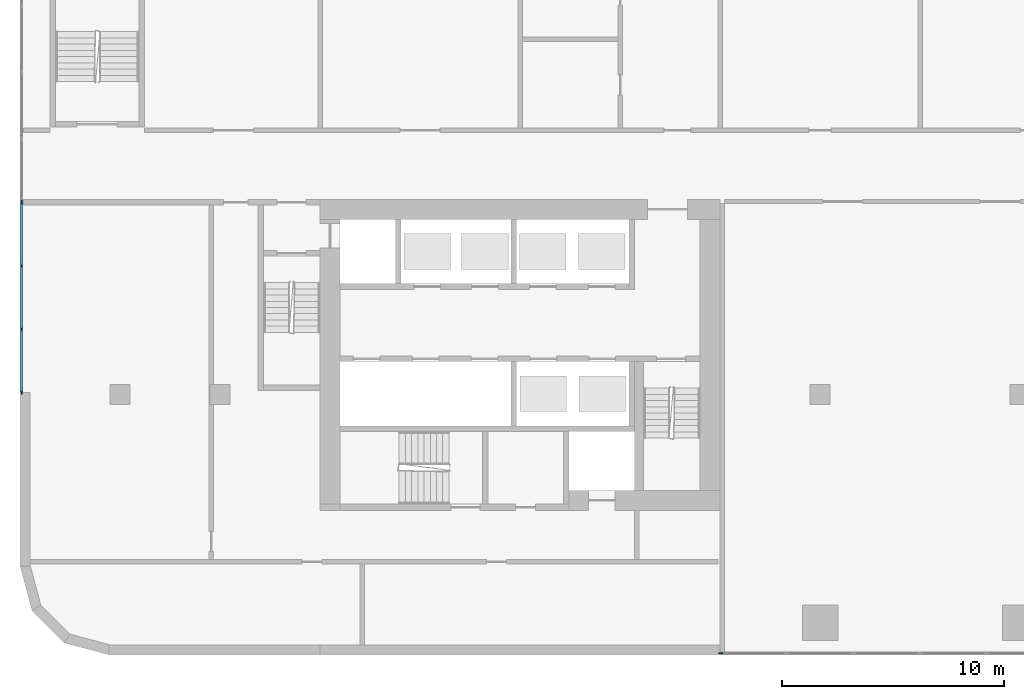
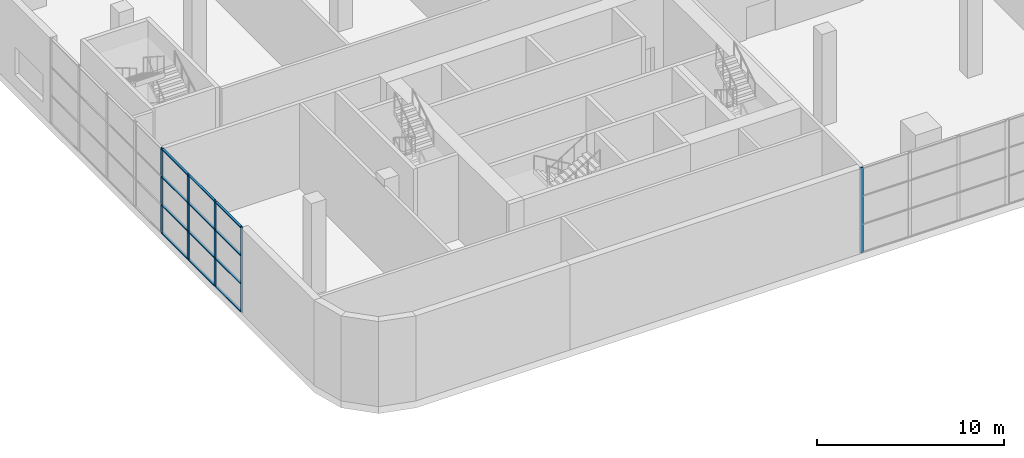
# One storey, part 2 of 27: 17 members, 2 elements without a shape of their own.
"""IFC4 building model written with IfcOpenShell, lengths in metres."""

from ifc_helpers import new_model, si_unit, direction, frame, origin, origin_2d, place, context, subcontext, project, spatial, rectangle, extrude, material, material_profile, profile_set, type_object, element, aggregate, save


model = new_model("IFC4")

# Units and contexts
model_context = context("Model", 3, precision=1e-05, world=origin(), true_north=direction((0.0, 1.0)))
body_context = subcontext(model_context, "Body", "Model", "MODEL_VIEW")
ifc_project = project(units=[si_unit("LENGTHUNIT", "METRE"), si_unit("AREAUNIT", "SQUARE_METRE"), si_unit("VOLUMEUNIT", "CUBIC_METRE"), si_unit("PLANEANGLEUNIT", "RADIAN"), si_unit("MASSUNIT", "GRAM", prefix="KILO")], contexts=[model_context])

# Site, building, storey
site_placement = place(None, origin())
site = spatial("IfcSite", under=ifc_project, at=site_placement, CompositionType="ELEMENT")
building_placement = place(site_placement, origin())
building = spatial("IfcBuilding", under=site, at=building_placement, Name="Kajstack Hotel Tower", CompositionType="ELEMENT")
storey_placement = place(building_placement, frame((0.0, 0.0, 11.0)))
storey = spatial("IfcBuildingStorey", under=building, at=storey_placement, Name="L01", CompositionType="ELEMENT", Elevation=11.0)

# Curtain wall, member
ifc_material_1 = material(Name="Aluminium-framed curtain wall, low-iron glass", Category="aluminium")
curtain_wall_type = type_object("IfcCurtainWallType", Name="CW-LOBBY", PredefinedType="NOTDEFINED", material=ifc_material_1)
curtain_wall_1_placement = place(storey_placement, origin())
curtain_wall_1 = element("IfcCurtainWall", 1, at=curtain_wall_1_placement, inside=storey, type_object=curtain_wall_type, Name="Curtain wall CU1 L01-03-02-0", PredefinedType="NOTDEFINED")
ifc_material_2 = material(Name="Aluminium", Category="aluminium")
ifc_material_profile_1 = material_profile(ifc_material_2, rectangle(XDim=0.06005859375, YDim=0.199951171875, at=origin_2d()), Name="Aluminium mullion 60 x 200")
ifc_profile_set_1 = profile_set([ifc_material_profile_1], Name="Aluminium")
member_type_1 = type_object("IfcMemberType", Name="CW-M-LOBBY", PredefinedType="MULLION", material=ifc_profile_set_1)
member_1_placement = place(storey_placement, frame((-13.469970703125, -21.925048828125, 0.0), z_axis=(0.0, 0.0, 1.0), x_axis=(0.0, 1.0, 0.0)))
member_1 = element("IfcMember", 2, at=member_1_placement, type_object=member_type_1, Name="CU1 mullion 1", PredefinedType="MULLION", context=body_context, shape_type="SweptSolid", body=[
    extrude(rectangle(XDim=0.06005859375, YDim=0.199951171875, at=origin_2d()), origin(), (0.0, 0.0, 1.0), 5.550048828125),
])
aggregate(curtain_wall_1, [member_1])

# Curtain wall, members
curtain_wall_2_placement = place(storey_placement, origin())
curtain_wall_2 = element("IfcCurtainWall", 3, at=curtain_wall_2_placement, inside=storey, type_object=curtain_wall_type, Name="Curtain wall CU1 L01-15-01-1", PredefinedType="NOTDEFINED")
member_2_placement = place(storey_placement, frame((-44.925048828125, -1.64990234375, 0.0), z_axis=(0.0, 0.0, 1.0), x_axis=(1.0, 0.0, 0.0)))
member_2 = element("IfcMember", 4, at=member_2_placement, type_object=member_type_1, Name="CU1 mullion 2", PredefinedType="MULLION", context=body_context, shape_type="SweptSolid", body=[
    extrude(rectangle(XDim=0.06005859375, YDim=0.199951171875, at=origin_2d()), origin(), (0.0, 0.0, 1.0), 5.550048828125),
])
member_3_placement = place(storey_placement, frame((-44.925048828125, -4.5, 0.0), z_axis=(0.0, 0.0, 1.0), x_axis=(1.0, 0.0, 0.0)))
member_3 = element("IfcMember", 5, at=member_3_placement, type_object=member_type_1, Name="CU1 mullion 3", PredefinedType="MULLION", context=body_context, shape_type="SweptSolid", body=[
    extrude(rectangle(XDim=0.06005859375, YDim=0.199951171875, at=origin_2d()), origin(), (0.0, 0.0, 1.0), 5.550048828125),
])
member_4_placement = place(storey_placement, frame((-44.925048828125, -7.35009765625, 0.0), z_axis=(0.0, 0.0, 1.0), x_axis=(1.0, 0.0, 0.0)))
member_4 = element("IfcMember", 6, at=member_4_placement, type_object=member_type_1, Name="CU1 mullion 4", PredefinedType="MULLION", context=body_context, shape_type="SweptSolid", body=[
    extrude(rectangle(XDim=0.06005859375, YDim=0.199951171875, at=origin_2d()), origin(), (0.0, 0.0, 1.0), 5.550048828125),
])
member_5_placement = place(storey_placement, frame((-44.925048828125, -10.169921875, 0.0), z_axis=(0.0, 0.0, 1.0), x_axis=(1.0, 0.0, 0.0)))
member_5 = element("IfcMember", 7, at=member_5_placement, type_object=member_type_1, Name="CU1 mullion 5", PredefinedType="MULLION", context=body_context, shape_type="SweptSolid", body=[
    extrude(rectangle(XDim=0.06005859375, YDim=0.199951171875, at=origin_2d()), origin(), (0.0, 0.0, 1.0), 5.550048828125),
])
ifc_material_profile_2 = material_profile(ifc_material_2, rectangle(XDim=0.139892578125, YDim=0.06005859375, at=origin_2d()), Name="Aluminium transom 140 x 60")
ifc_profile_set_2 = profile_set([ifc_material_profile_2], Name="Aluminium")
member_type_2 = type_object("IfcMemberType", Name="CW-T-LOBBY", PredefinedType="USERDEFINED", material=ifc_profile_set_2)
member_6_placement = place(storey_placement, frame((-44.925048828125, -1.679931640625, 0.030029296875), z_axis=(0.0, -1.0, 0.0), x_axis=(1.0, 0.0, 0.0)))
member_6 = element("IfcMember", 8, at=member_6_placement, type_object=member_type_2, Name="CU1 transom 2.1", ObjectType="TRANSOM", PredefinedType="USERDEFINED", context=body_context, shape_type="SweptSolid", body=[
    extrude(rectangle(XDim=0.139892578125, YDim=0.06005859375, at=origin_2d()), origin(), (0.0, 0.0, 1.0), 2.7900390625),
])
member_7_placement = place(storey_placement, frame((-44.925048828125, -1.679931640625, 1.85009765625), z_axis=(0.0, -1.0, 0.0), x_axis=(1.0, 0.0, 0.0)))
member_7 = element("IfcMember", 9, at=member_7_placement, type_object=member_type_2, Name="CU1 transom 2.2", ObjectType="TRANSOM", PredefinedType="USERDEFINED", context=body_context, shape_type="SweptSolid", body=[
    extrude(rectangle(XDim=0.139892578125, YDim=0.06005859375, at=origin_2d()), origin(), (0.0, 0.0, 1.0), 2.7900390625),
])
member_8_placement = place(storey_placement, frame((-44.925048828125, -1.679931640625, 3.699951171875), z_axis=(0.0, -1.0, 0.0), x_axis=(1.0, 0.0, 0.0)))
member_8 = element("IfcMember", 10, at=member_8_placement, type_object=member_type_2, Name="CU1 transom 2.3", ObjectType="TRANSOM", PredefinedType="USERDEFINED", context=body_context, shape_type="SweptSolid", body=[
    extrude(rectangle(XDim=0.139892578125, YDim=0.06005859375, at=origin_2d()), origin(), (0.0, 0.0, 1.0), 2.7900390625),
])
member_9_placement = place(storey_placement, frame((-44.925048828125, -1.679931640625, 5.52001953125), z_axis=(0.0, -1.0, 0.0), x_axis=(1.0, 0.0, 0.0)))
member_9 = element("IfcMember", 11, at=member_9_placement, type_object=member_type_2, Name="CU1 transom 2.4", ObjectType="TRANSOM", PredefinedType="USERDEFINED", context=body_context, shape_type="SweptSolid", body=[
    extrude(rectangle(XDim=0.139892578125, YDim=0.06005859375, at=origin_2d()), origin(), (0.0, 0.0, 1.0), 2.7900390625),
])
member_10_placement = place(storey_placement, frame((-44.925048828125, -4.530029296875, 0.030029296875), z_axis=(0.0, -1.0, 0.0), x_axis=(1.0, 0.0, 0.0)))
member_10 = element("IfcMember", 12, at=member_10_placement, type_object=member_type_2, Name="CU1 transom 3.1", ObjectType="TRANSOM", PredefinedType="USERDEFINED", context=body_context, shape_type="SweptSolid", body=[
    extrude(rectangle(XDim=0.139892578125, YDim=0.06005859375, at=origin_2d()), origin(), (0.0, 0.0, 1.0), 2.7900390625),
])
member_11_placement = place(storey_placement, frame((-44.925048828125, -4.530029296875, 1.85009765625), z_axis=(0.0, -1.0, 0.0), x_axis=(1.0, 0.0, 0.0)))
member_11 = element("IfcMember", 13, at=member_11_placement, type_object=member_type_2, Name="CU1 transom 3.2", ObjectType="TRANSOM", PredefinedType="USERDEFINED", context=body_context, shape_type="SweptSolid", body=[
    extrude(rectangle(XDim=0.139892578125, YDim=0.06005859375, at=origin_2d()), origin(), (0.0, 0.0, 1.0), 2.7900390625),
])
member_12_placement = place(storey_placement, frame((-44.925048828125, -4.530029296875, 3.699951171875), z_axis=(0.0, -1.0, 0.0), x_axis=(1.0, 0.0, 0.0)))
member_12 = element("IfcMember", 14, at=member_12_placement, type_object=member_type_2, Name="CU1 transom 3.3", ObjectType="TRANSOM", PredefinedType="USERDEFINED", context=body_context, shape_type="SweptSolid", body=[
    extrude(rectangle(XDim=0.139892578125, YDim=0.06005859375, at=origin_2d()), origin(), (0.0, 0.0, 1.0), 2.7900390625),
])
member_13_placement = place(storey_placement, frame((-44.925048828125, -4.530029296875, 5.52001953125), z_axis=(0.0, -1.0, 0.0), x_axis=(1.0, 0.0, 0.0)))
member_13 = element("IfcMember", 15, at=member_13_placement, type_object=member_type_2, Name="CU1 transom 3.4", ObjectType="TRANSOM", PredefinedType="USERDEFINED", context=body_context, shape_type="SweptSolid", body=[
    extrude(rectangle(XDim=0.139892578125, YDim=0.06005859375, at=origin_2d()), origin(), (0.0, 0.0, 1.0), 2.7900390625),
])
member_14_placement = place(storey_placement, frame((-44.925048828125, -7.3798828125, 0.030029296875), z_axis=(0.0, -1.0, 0.0), x_axis=(1.0, 0.0, 0.0)))
member_14 = element("IfcMember", 16, at=member_14_placement, type_object=member_type_2, Name="CU1 transom 4.1", ObjectType="TRANSOM", PredefinedType="USERDEFINED", context=body_context, shape_type="SweptSolid", body=[
    extrude(rectangle(XDim=0.139892578125, YDim=0.06005859375, at=origin_2d()), origin(), (0.0, 0.0, 1.0), 2.760009765625),
])
member_15_placement = place(storey_placement, frame((-44.925048828125, -7.3798828125, 1.85009765625), z_axis=(0.0, -1.0, 0.0), x_axis=(1.0, 0.0, 0.0)))
member_15 = element("IfcMember", 17, at=member_15_placement, type_object=member_type_2, Name="CU1 transom 4.2", ObjectType="TRANSOM", PredefinedType="USERDEFINED", context=body_context, shape_type="SweptSolid", body=[
    extrude(rectangle(XDim=0.139892578125, YDim=0.06005859375, at=origin_2d()), origin(), (0.0, 0.0, 1.0), 2.760009765625),
])
member_16_placement = place(storey_placement, frame((-44.925048828125, -7.3798828125, 3.699951171875), z_axis=(0.0, -1.0, 0.0), x_axis=(1.0, 0.0, 0.0)))
member_16 = element("IfcMember", 18, at=member_16_placement, type_object=member_type_2, Name="CU1 transom 4.3", ObjectType="TRANSOM", PredefinedType="USERDEFINED", context=body_context, shape_type="SweptSolid", body=[
    extrude(rectangle(XDim=0.139892578125, YDim=0.06005859375, at=origin_2d()), origin(), (0.0, 0.0, 1.0), 2.760009765625),
])
member_17_placement = place(storey_placement, frame((-44.925048828125, -7.3798828125, 5.52001953125), z_axis=(0.0, -1.0, 0.0), x_axis=(1.0, 0.0, 0.0)))
member_17 = element("IfcMember", 19, at=member_17_placement, type_object=member_type_2, Name="CU1 transom 4.4", ObjectType="TRANSOM", PredefinedType="USERDEFINED", context=body_context, shape_type="SweptSolid", body=[
    extrude(rectangle(XDim=0.139892578125, YDim=0.06005859375, at=origin_2d()), origin(), (0.0, 0.0, 1.0), 2.760009765625),
])
aggregate(curtain_wall_2, [member_2, member_3, member_4, member_5, member_6, member_7, member_8, member_9, member_10, member_11, member_12, member_13, member_14, member_15, member_16, member_17])

save(model, "model.ifc")
